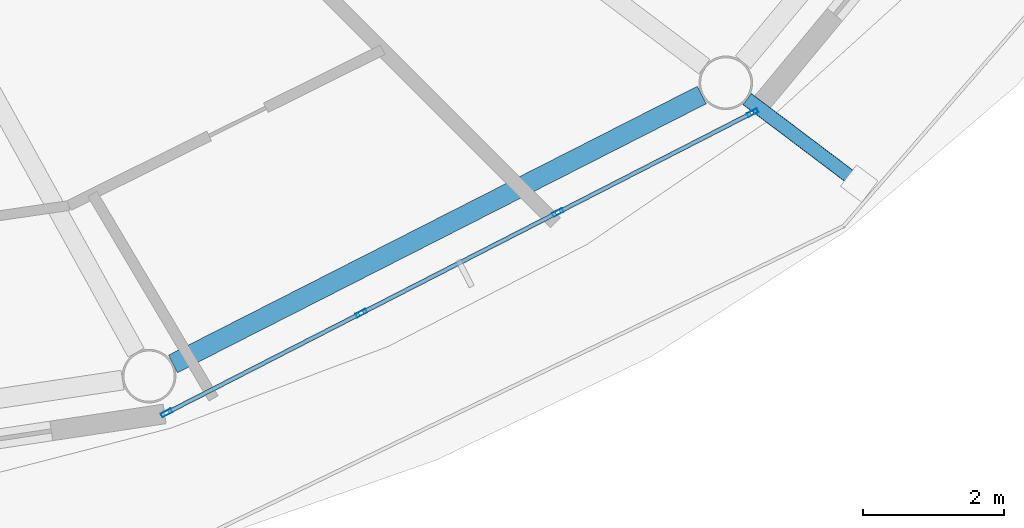
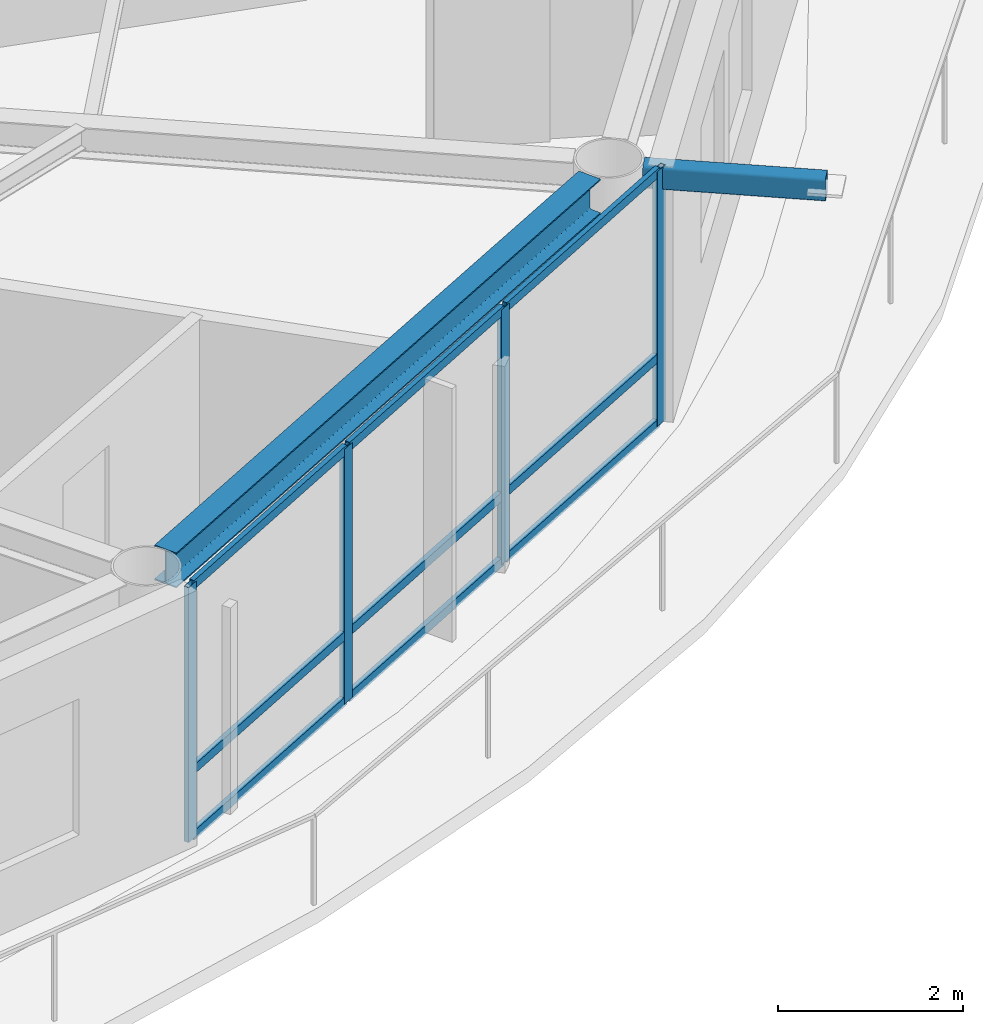
# One storey, part 5 of 23: 14 members, 1 beam, 1 element without a shape of its own.
"""IFC4 building model written with IfcOpenShell, lengths in metres."""

from ifc_helpers import new_model, si_unit, direction, frame, origin, origin_2d, place, context, subcontext, project, spatial, hollow_rectangle, i_section, extrude, material, layer, layer_set, material_profile, profile_set, type_object, element, aggregate, save


model = new_model("IFC4")

# Units and contexts
model_context = context("Model", 3, precision=1e-05, world=origin(), true_north=direction((0.0, 1.0)))
body_context = subcontext(model_context, "Body", "Model", "MODEL_VIEW")
ifc_project = project(units=[si_unit("LENGTHUNIT", "METRE"), si_unit("AREAUNIT", "SQUARE_METRE"), si_unit("VOLUMEUNIT", "CUBIC_METRE"), si_unit("PLANEANGLEUNIT", "RADIAN"), si_unit("MASSUNIT", "GRAM", prefix="KILO")], contexts=[model_context])

# Site, building, storey
site_placement = place(None, origin())
site = spatial("IfcSite", under=ifc_project, at=site_placement, CompositionType="ELEMENT")
building_placement = place(site_placement, origin())
building = spatial("IfcBuilding", under=site, at=building_placement, Name="Sarneth Arch Tower", CompositionType="ELEMENT")
storey_placement = place(building_placement, frame((0.0, 0.0, 269.39990234375)))
storey = spatial("IfcBuildingStorey", under=building, at=storey_placement, Name="L69", CompositionType="ELEMENT", Elevation=269.39990234375)

# Beam
ifc_material_1 = material(Name="Steel S355", Category="steel")
ifc_material_profile_1 = material_profile(ifc_material_1, i_section(OverallWidth=0.280029296875, OverallDepth=0.462890625, WebThickness=0.0107421875, FlangeThickness=0.017333984375, FilletRadius=0.01806640625, at=origin_2d()), Name="W460x113")
ifc_profile_set_1 = profile_set([ifc_material_profile_1], Name="Steel S355")
beam_type = type_object("IfcBeamType", Name="BM-RAD-460A", PredefinedType="BEAM", material=ifc_profile_set_1)
beam_placement = place(storey_placement, frame((58.13037109375, 24.434326171875, 3.138671875), z_axis=(0.891373613492, 0.453269325204, 0.0), x_axis=(-0.453269325204, 0.891373613492, 0.0)))
element("IfcBeam", 1, at=beam_placement, inside=storey, type_object=beam_type, Name="L69 Perimeter spandrel beam 14", PredefinedType="BEAM", context=body_context, shape_type="SweptSolid", body=[
    extrude(i_section(OverallWidth=0.280029296875, OverallDepth=0.462890625, WebThickness=0.0107421875, FlangeThickness=0.017333984375, FilletRadius=0.01806640625, at=origin_2d()), origin(), (0.0, 0.0, 1.0), 8.419677734375),
])

# Curtain wall, members
ifc_material_2 = material(Name="Anodised aluminium Type AA25 and solar-control low-e laminated IGU", Category="aluminium")
ifc_layer = layer(ifc_material_2, 0.179931640625)
ifc_layer_set = layer_set([ifc_layer], Name="Anodised aluminium Type AA25 and solar-control low-e laminated IGU")
curtain_wall_type = type_object("IfcCurtainWallType", Name="CW-RES-HIGH", PredefinedType="NOTDEFINED", material=ifc_layer_set)
curtain_wall_placement = place(storey_placement, origin())
curtain_wall = element("IfcCurtainWall", 2, at=curtain_wall_placement, inside=storey, type_object=curtain_wall_type, Name="L69 Unitised curtain wall facet 14", PredefinedType="NOTDEFINED")
ifc_material_3 = material(Name="Anodised Aluminium 6063-T6", Category="aluminium")
ifc_material_profile_2 = material_profile(ifc_material_3, hollow_rectangle(XDim=0.06005859375, YDim=0.159912109375, WallThickness=0.00390625, at=origin_2d()), Name="AL-MULL-160x60x4")
ifc_profile_set_2 = profile_set([ifc_material_profile_2], Name="Anodised Aluminium 6063-T6")
member_type_1 = type_object("IfcMemberType", Name="CW-MULLION", PredefinedType="MULLION", material=ifc_profile_set_2)
member_1_placement = place(storey_placement, frame((58.039306640625, 23.7392578125, 0.0), z_axis=(0.0, 0.0, 1.0), x_axis=(-0.455941901753, 0.890009540525, 0.0)))
member_1 = element("IfcMember", 3, at=member_1_placement, type_object=member_type_1, Name="CW-SYS-6 mullion 1", PredefinedType="MULLION", context=body_context, shape_type="SweptSolid", body=[
    extrude(hollow_rectangle(XDim=0.06005859375, YDim=0.159912109375, WallThickness=0.00390625, at=origin_2d()), origin(), (0.0, 0.0, 1.0), 3.3701171875),
])
member_2_placement = place(storey_placement, frame((60.802490234375, 25.155029296875, 0.0), z_axis=(0.0, 0.0, 1.0), x_axis=(-0.455941901753, 0.890009540525, 0.0)))
member_2 = element("IfcMember", 4, at=member_2_placement, type_object=member_type_1, Name="CW-SYS-6 mullion 2", PredefinedType="MULLION", context=body_context, shape_type="SweptSolid", body=[
    extrude(hollow_rectangle(XDim=0.06005859375, YDim=0.159912109375, WallThickness=0.00390625, at=origin_2d()), origin(), (0.0, 0.0, 1.0), 3.3701171875),
])
member_3_placement = place(storey_placement, frame((63.592529296875, 26.584228515625, 0.0), z_axis=(0.0, 0.0, 1.0), x_axis=(-0.455941901753, 0.890009540525, 0.0)))
member_3 = element("IfcMember", 5, at=member_3_placement, type_object=member_type_1, Name="CW-SYS-6 mullion 3", PredefinedType="MULLION", context=body_context, shape_type="SweptSolid", body=[
    extrude(hollow_rectangle(XDim=0.06005859375, YDim=0.159912109375, WallThickness=0.00390625, at=origin_2d()), origin(), (0.0, 0.0, 1.0), 3.3701171875),
])
member_4_placement = place(storey_placement, frame((66.355712890625, 27.999755859375, 0.0), z_axis=(0.0, 0.0, 1.0), x_axis=(-0.455941901753, 0.890009540525, 0.0)))
member_4 = element("IfcMember", 6, at=member_4_placement, type_object=member_type_1, Name="CW-SYS-6 mullion 4", PredefinedType="MULLION", context=body_context, shape_type="SweptSolid", body=[
    extrude(hollow_rectangle(XDim=0.06005859375, YDim=0.159912109375, WallThickness=0.00390625, at=origin_2d()), origin(), (0.0, 0.0, 1.0), 3.3701171875),
])
ifc_material_4 = material(Name="Anodised Aluminium 6063-T6", Category="aluminium")
ifc_material_profile_3 = material_profile(ifc_material_4, hollow_rectangle(XDim=0.06005859375, YDim=0.1201171875, WallThickness=0.00390625, at=origin_2d()), Name="AL-TRAN-120x60x4")
ifc_profile_set_3 = profile_set([ifc_material_profile_3], Name="Anodised Aluminium 6063-T6")
member_type_2 = type_object("IfcMemberType", Name="CW-TRANSOM", PredefinedType="USERDEFINED", material=ifc_profile_set_3)
member_5_placement = place(storey_placement, frame((58.066162109375, 23.7529296875, 0.030029296875), z_axis=(0.889973523166, 0.456012201662, 0.0), x_axis=(-0.456012201662, 0.889973523166, 0.0)))
member_5 = element("IfcMember", 7, at=member_5_placement, type_object=member_type_2, Name="CW-SYS-6 transom 1.1", ObjectType="TRANSOM", PredefinedType="USERDEFINED", context=body_context, shape_type="SweptSolid", body=[
    extrude(hollow_rectangle(XDim=0.06005859375, YDim=0.1201171875, WallThickness=0.00390625, at=origin_2d()), origin(), (0.0, 0.0, 1.0), 3.044677734375),
])
member_6_placement = place(storey_placement, frame((58.066162109375, 23.7529296875, 0.900146484375), z_axis=(0.889973523166, 0.456012201662, 0.0), x_axis=(-0.456012201662, 0.889973523166, 0.0)))
member_6 = element("IfcMember", 8, at=member_6_placement, type_object=member_type_2, Name="CW-SYS-6 transom 1.2", ObjectType="TRANSOM", PredefinedType="USERDEFINED", context=body_context, shape_type="SweptSolid", body=[
    extrude(hollow_rectangle(XDim=0.06005859375, YDim=0.1201171875, WallThickness=0.00390625, at=origin_2d()), origin(), (0.0, 0.0, 1.0), 3.044677734375),
])
member_7_placement = place(storey_placement, frame((58.066162109375, 23.7529296875, 3.340087890625), z_axis=(0.889973523166, 0.456012201662, 0.0), x_axis=(-0.456012201662, 0.889973523166, 0.0)))
member_7 = element("IfcMember", 9, at=member_7_placement, type_object=member_type_2, Name="CW-SYS-6 transom 1.3", ObjectType="TRANSOM", PredefinedType="USERDEFINED", context=body_context, shape_type="SweptSolid", body=[
    extrude(hollow_rectangle(XDim=0.06005859375, YDim=0.1201171875, WallThickness=0.00390625, at=origin_2d()), origin(), (0.0, 0.0, 1.0), 3.044677734375),
])
member_8_placement = place(storey_placement, frame((60.829345703125, 25.168701171875, 0.030029296875), z_axis=(0.890017432405, 0.455926496286, 0.0), x_axis=(-0.455926496286, 0.890017432405, 0.0)))
member_8 = element("IfcMember", 10, at=member_8_placement, type_object=member_type_2, Name="CW-SYS-6 transom 2.1", ObjectType="TRANSOM", PredefinedType="USERDEFINED", context=body_context, shape_type="SweptSolid", body=[
    extrude(hollow_rectangle(XDim=0.06005859375, YDim=0.1201171875, WallThickness=0.00390625, at=origin_2d()), origin(), (0.0, 0.0, 1.0), 3.07470703125),
])
member_9_placement = place(storey_placement, frame((60.829345703125, 25.168701171875, 0.900146484375), z_axis=(0.890017432405, 0.455926496286, 0.0), x_axis=(-0.455926496286, 0.890017432405, 0.0)))
member_9 = element("IfcMember", 11, at=member_9_placement, type_object=member_type_2, Name="CW-SYS-6 transom 2.2", ObjectType="TRANSOM", PredefinedType="USERDEFINED", context=body_context, shape_type="SweptSolid", body=[
    extrude(hollow_rectangle(XDim=0.06005859375, YDim=0.1201171875, WallThickness=0.00390625, at=origin_2d()), origin(), (0.0, 0.0, 1.0), 3.07470703125),
])
member_10_placement = place(storey_placement, frame((60.829345703125, 25.168701171875, 3.340087890625), z_axis=(0.890017432405, 0.455926496286, 0.0), x_axis=(-0.455926496286, 0.890017432405, 0.0)))
member_10 = element("IfcMember", 12, at=member_10_placement, type_object=member_type_2, Name="CW-SYS-6 transom 2.3", ObjectType="TRANSOM", PredefinedType="USERDEFINED", context=body_context, shape_type="SweptSolid", body=[
    extrude(hollow_rectangle(XDim=0.06005859375, YDim=0.1201171875, WallThickness=0.00390625, at=origin_2d()), origin(), (0.0, 0.0, 1.0), 3.07470703125),
])
member_11_placement = place(storey_placement, frame((63.619140625, 26.597900390625, 0.030029296875), z_axis=(0.890022732705, 0.455916149384, 0.0), x_axis=(-0.455916149384, 0.890022732705, 0.0)))
member_11 = element("IfcMember", 13, at=member_11_placement, type_object=member_type_2, Name="CW-SYS-6 transom 3.1", ObjectType="TRANSOM", PredefinedType="USERDEFINED", context=body_context, shape_type="SweptSolid", body=[
    extrude(hollow_rectangle(XDim=0.06005859375, YDim=0.1201171875, WallThickness=0.00390625, at=origin_2d()), origin(), (0.0, 0.0, 1.0), 3.044921875),
])
member_12_placement = place(storey_placement, frame((63.619140625, 26.597900390625, 0.900146484375), z_axis=(0.890022732705, 0.455916149384, 0.0), x_axis=(-0.455916149384, 0.890022732705, 0.0)))
member_12 = element("IfcMember", 14, at=member_12_placement, type_object=member_type_2, Name="CW-SYS-6 transom 3.2", ObjectType="TRANSOM", PredefinedType="USERDEFINED", context=body_context, shape_type="SweptSolid", body=[
    extrude(hollow_rectangle(XDim=0.06005859375, YDim=0.1201171875, WallThickness=0.00390625, at=origin_2d()), origin(), (0.0, 0.0, 1.0), 3.044921875),
])
member_13_placement = place(storey_placement, frame((63.619140625, 26.597900390625, 3.340087890625), z_axis=(0.890022732705, 0.455916149384, 0.0), x_axis=(-0.455916149384, 0.890022732705, 0.0)))
member_13 = element("IfcMember", 15, at=member_13_placement, type_object=member_type_2, Name="CW-SYS-6 transom 3.3", ObjectType="TRANSOM", PredefinedType="USERDEFINED", context=body_context, shape_type="SweptSolid", body=[
    extrude(hollow_rectangle(XDim=0.06005859375, YDim=0.1201171875, WallThickness=0.00390625, at=origin_2d()), origin(), (0.0, 0.0, 1.0), 3.044921875),
])
aggregate(curtain_wall, [member_1, member_2, member_3, member_4, member_5, member_6, member_7, member_8, member_9, member_10, member_11, member_12, member_13])

# Member
ifc_material_5 = material(Name="Steel S355", Category="steel")
ifc_material_profile_4 = material_profile(ifc_material_5, hollow_rectangle(XDim=0.199951171875, YDim=0.300048828125, WallThickness=0.012451171875, InnerFilletRadius=0.018798828125, OuterFilletRadius=0.03125, at=origin_2d()), Name="RHS300x200x12.5")
ifc_profile_set_4 = profile_set([ifc_material_profile_4], Name="Steel S355")
member_type_3 = type_object("IfcMemberType", Name="MEM-CANT-STRUT", PredefinedType="STRUT", material=ifc_profile_set_4)
member_14_placement = place(storey_placement, frame((66.279296875, 28.19384765625, 3.210205078125), z_axis=(0.797965573983, -0.602703030304, 0.0), x_axis=(0.602703030304, 0.797965573983, 0.0)))
element("IfcMember", 16, at=member_14_placement, inside=storey, type_object=member_type_3, Name="L69 Balcony cantilever bracket 15", PredefinedType="STRUT", context=body_context, shape_type="SweptSolid", body=[
    extrude(hollow_rectangle(XDim=0.199951171875, YDim=0.300048828125, WallThickness=0.012451171875, InnerFilletRadius=0.018798828125, OuterFilletRadius=0.03125, at=origin_2d()), origin(), (0.0, 0.0, 1.0), 1.99169921875),
])

save(model, "model.ifc")
